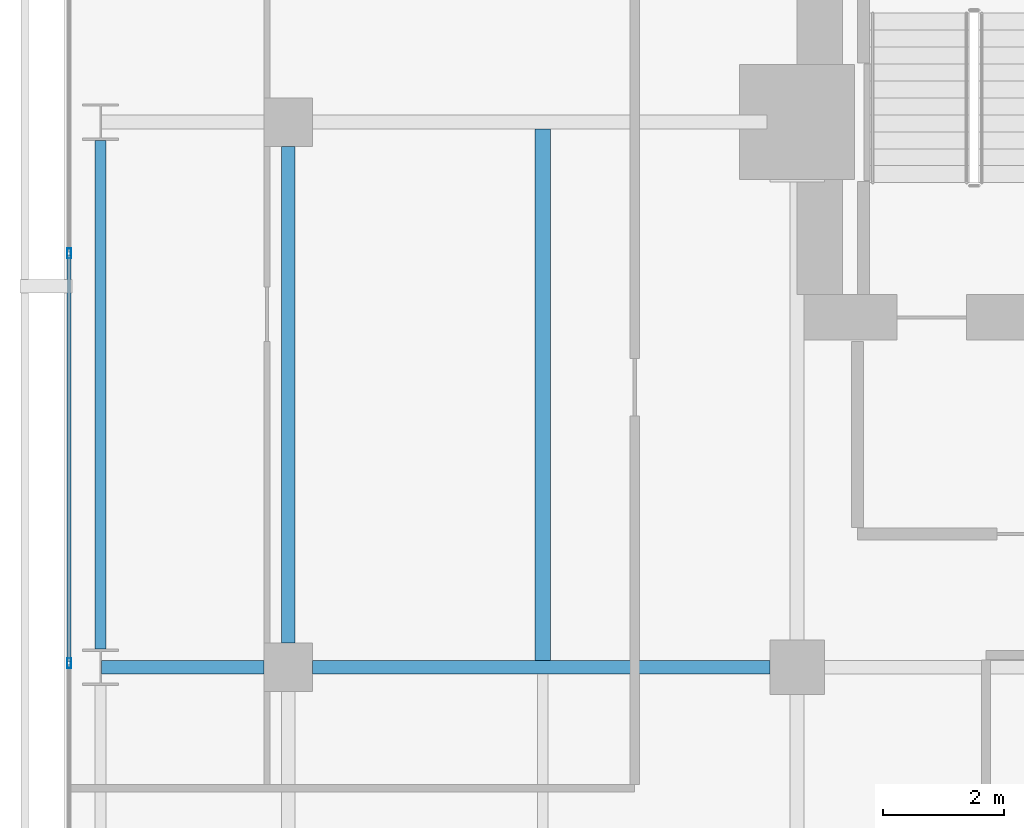
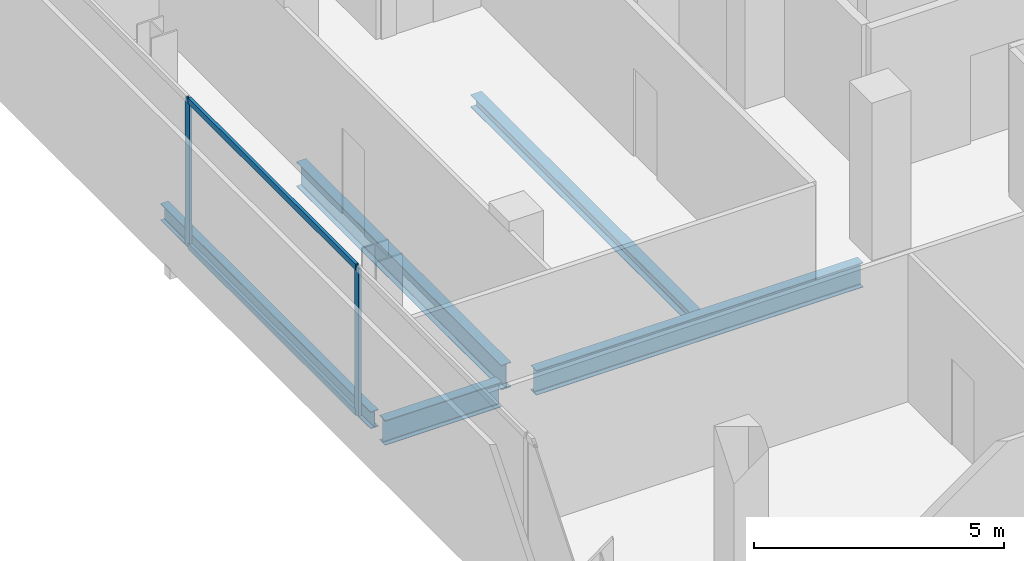
# One storey, part 18 of 32: 5 beams, 4 members, 1 element without a shape of its own.
"""IFC4 building model written with IfcOpenShell, lengths in metres."""

from ifc_helpers import new_model, si_unit, direction, frame, origin, origin_2d, place, context, subcontext, project, spatial, hollow_rectangle, i_section, extrude, material, layer, layer_set, material_profile, profile_set, type_object, element, aggregate, save


model = new_model("IFC4")

# Units and contexts
model_context = context("Model", 3, precision=1e-05, world=origin(), true_north=direction((0.0, 1.0)))
body_context = subcontext(model_context, "Body", "Model", "MODEL_VIEW")
ifc_project = project(units=[si_unit("LENGTHUNIT", "METRE"), si_unit("AREAUNIT", "SQUARE_METRE"), si_unit("VOLUMEUNIT", "CUBIC_METRE"), si_unit("PLANEANGLEUNIT", "RADIAN"), si_unit("MASSUNIT", "GRAM", prefix="KILO")], contexts=[model_context])

# Site, building, storey
site_placement = place(None, origin())
site = spatial("IfcSite", under=ifc_project, at=site_placement, CompositionType="ELEMENT")
building_placement = place(site_placement, origin())
building = spatial("IfcBuilding", under=site, at=building_placement, Name="Maruvema Waterfront Hotel and Observation Tower", CompositionType="ELEMENT")
storey_placement = place(building_placement, frame((0.0, 0.0, 162.050048828125)))
storey = spatial("IfcBuildingStorey", under=building, at=storey_placement, Name="L39", CompositionType="ELEMENT", Elevation=162.050048828125)

# Curtain wall, members
ifc_material_1 = material(Name="Anodised bronze aluminium and solar-control low-E IGU", Category="aluminium")
ifc_layer = layer(ifc_material_1, 0.159912109375, Name="Zone 2 Amber Inner Thermal Curtain Wall System CW-03")
ifc_layer_set = layer_set([ifc_layer], Name="Anodised bronze aluminium and solar-control low-E IGU")
curtain_wall_type = type_object("IfcCurtainWallType", Name="Zone 2 Amber Inner Thermal Curtain Wall System CW-03", PredefinedType="USERDEFINED", material=ifc_layer_set)
curtain_wall_placement = place(storey_placement, origin())
curtain_wall = element("IfcCurtainWall", 1, at=curtain_wall_placement, inside=storey, type_object=curtain_wall_type, Name="L39 Curtain Wall CW-L39-W", ObjectType="UNITISED CURTAIN WALL", PredefinedType="USERDEFINED")
ifc_material_2 = material(Name="Anodised architectural bronze aluminium", Category="aluminium")
ifc_material_profile_1 = material_profile(ifc_material_2, hollow_rectangle(XDim=0.070068359375, YDim=0.14990234375, WallThickness=0.00390625, at=origin_2d()), Name="ALU-T70x150")
ifc_profile_set_1 = profile_set([ifc_material_profile_1], Name="Anodised architectural bronze aluminium")
member_type_1 = type_object("IfcMemberType", Name="Curtain Wall Horizontal Transom ALU-T70x150", PredefinedType="USERDEFINED", material=ifc_profile_set_1)
member_1_placement = place(storey_placement, frame((13.179931640625, 42.80322265625, 0.030029296875), z_axis=(0.0, -1.0, 0.0), x_axis=(1.0, 0.0, 0.0)))
member_1 = element("IfcMember", 2, at=member_1_placement, type_object=member_type_1, Name="CW-03 transom 2.1", ObjectType="TRANSOM", PredefinedType="USERDEFINED", context=body_context, shape_type="SweptSolid", body=[
    extrude(hollow_rectangle(XDim=0.070068359375, YDim=0.14990234375, WallThickness=0.00390625, at=origin_2d()), origin(), (0.0, 0.0, 1.0), 6.70654296875),
])
member_2_placement = place(storey_placement, frame((13.179931640625, 42.80322265625, 3.579833984375), z_axis=(0.0, -1.0, 0.0), x_axis=(1.0, 0.0, 0.0)))
member_2 = element("IfcMember", 3, at=member_2_placement, type_object=member_type_1, Name="CW-03 transom 2.2", ObjectType="TRANSOM", PredefinedType="USERDEFINED", context=body_context, shape_type="SweptSolid", body=[
    extrude(hollow_rectangle(XDim=0.070068359375, YDim=0.14990234375, WallThickness=0.00390625, at=origin_2d()), origin(), (0.0, 0.0, 1.0), 6.70654296875),
])
ifc_material_3 = material(Name="Anodised architectural bronze aluminium", Category="aluminium")
ifc_material_profile_2 = material_profile(ifc_material_3, hollow_rectangle(XDim=0.06494140625, YDim=0.1650390625, WallThickness=0.00390625, at=origin_2d()), Name="ALU-M65x165")
ifc_profile_set_2 = profile_set([ifc_material_profile_2], Name="Anodised architectural bronze aluminium")
member_type_2 = type_object("IfcMemberType", Name="Curtain Wall Primary Mullion ALU-M65x165", PredefinedType="MULLION", material=ifc_profile_set_2)
member_3_placement = place(storey_placement, frame((13.179931640625, 42.833251953125, 0.0), z_axis=(0.0, 0.0, 1.0), x_axis=(1.0, 0.0, 0.0)))
member_3 = element("IfcMember", 4, at=member_3_placement, type_object=member_type_2, Name="CW-03 mullion 2", PredefinedType="MULLION", context=body_context, shape_type="SweptSolid", body=[
    extrude(hollow_rectangle(XDim=0.06494140625, YDim=0.1650390625, WallThickness=0.00390625, at=origin_2d()), origin(), (0.0, 0.0, 1.0), 3.60986328125),
])
member_4_placement = place(storey_placement, frame((13.179931640625, 36.066650390625, 0.0), z_axis=(0.0, 0.0, 1.0), x_axis=(1.0, 0.0, 0.0)))
member_4 = element("IfcMember", 5, at=member_4_placement, type_object=member_type_2, Name="CW-03 mullion 3", PredefinedType="MULLION", context=body_context, shape_type="SweptSolid", body=[
    extrude(hollow_rectangle(XDim=0.06494140625, YDim=0.1650390625, WallThickness=0.00390625, at=origin_2d()), origin(), (0.0, 0.0, 1.0), 3.60986328125),
])
aggregate(curtain_wall, [member_3, member_4, member_1, member_2])

# Beams
ifc_material_4 = material(Name="Steel ASTM A572 Grade 50", Category="steel")
ifc_material_profile_3 = material_profile(ifc_material_4, i_section(OverallWidth=0.180908203125, OverallDepth=0.4169921875, WebThickness=0.010986328125, FlangeThickness=0.018310546875, FilletRadius=0.014892578125, at=origin_2d()), Name="W410x85.0")
ifc_profile_set_3 = profile_set([ifc_material_profile_3], Name="Steel ASTM A572 Grade 50")
beam_type_1 = type_object("IfcBeamType", Name="Perimeter Spandrel Beam W410x85.0", PredefinedType="SPANDREL", material=ifc_profile_set_3)
beam_1_placement = place(storey_placement, frame((13.699951171875, 36.300048828125, -0.448486328125), z_axis=(0.0, 1.0, 0.0), x_axis=(-1.0, 0.0, 0.0)))
element("IfcBeam", 6, at=beam_1_placement, inside=storey, type_object=beam_type_1, Name="L39 Floor Girder NS-04", PredefinedType="SPANDREL", context=body_context, shape_type="SweptSolid", body=[
    extrude(i_section(OverallWidth=0.180908203125, OverallDepth=0.4169921875, WebThickness=0.010986328125, FlangeThickness=0.018310546875, FilletRadius=0.014892578125, at=origin_2d()), origin(), (0.0, 0.0, 1.0), 8.39990234375),
])
ifc_material_5 = material(Name="Steel ASTM A572 Grade 50", Category="steel")
ifc_material_profile_4 = material_profile(ifc_material_5, i_section(OverallWidth=0.22802734375, OverallDepth=0.60302734375, WebThickness=0.010498046875, FlangeThickness=0.014892578125, FilletRadius=0.01806640625, at=origin_2d()), Name="W610x101.0")
ifc_profile_set_4 = profile_set([ifc_material_profile_4], Name="Steel ASTM A572 Grade 50")
beam_type_2 = type_object("IfcBeamType", Name="Primary Floor Girder W610x101.0", PredefinedType="BEAM", material=ifc_profile_set_4)
beam_2_placement = place(storey_placement, frame((13.71240234375, 36.0, -0.54150390625), z_axis=(1.0, 0.0, 0.0), x_axis=(0.0, 1.0, 0.0)))
element("IfcBeam", 7, at=beam_2_placement, inside=storey, type_object=beam_type_2, Name="L39 Floor Girder EW-23", PredefinedType="BEAM", context=body_context, shape_type="SweptSolid", body=[
    extrude(i_section(OverallWidth=0.22802734375, OverallDepth=0.60302734375, WebThickness=0.010498046875, FlangeThickness=0.014892578125, FilletRadius=0.01806640625, at=origin_2d()), origin(), (0.0, 0.0, 1.0), 2.6875),
])
beam_3_placement = place(storey_placement, frame((17.199951171875, 36.0, -0.54150390625), z_axis=(1.0, 0.0, 0.0), x_axis=(0.0, 1.0, 0.0)))
element("IfcBeam", 8, at=beam_3_placement, inside=storey, type_object=beam_type_2, Name="L39 Floor Girder EW-24", PredefinedType="BEAM", context=body_context, shape_type="SweptSolid", body=[
    extrude(i_section(OverallWidth=0.22802734375, OverallDepth=0.60302734375, WebThickness=0.010498046875, FlangeThickness=0.014892578125, FilletRadius=0.01806640625, at=origin_2d()), origin(), (0.0, 0.0, 1.0), 7.550048828125),
])
beam_4_placement = place(storey_placement, frame((16.800048828125, 36.39990234375, -0.54150390625), z_axis=(0.0, 1.0, 0.0), x_axis=(-1.0, 0.0, 0.0)))
element("IfcBeam", 9, at=beam_4_placement, inside=storey, type_object=beam_type_2, Name="L39 Floor Girder NS-08", PredefinedType="BEAM", context=body_context, shape_type="SweptSolid", body=[
    extrude(i_section(OverallWidth=0.22802734375, OverallDepth=0.60302734375, WebThickness=0.010498046875, FlangeThickness=0.014892578125, FilletRadius=0.01806640625, at=origin_2d()), origin(), (0.0, 0.0, 1.0), 8.2001953125),
])
ifc_material_6 = material(Name="Steel ASTM A572 Grade 50", Category="steel")
ifc_material_profile_5 = material_profile(ifc_material_6, i_section(OverallWidth=0.25390625, OverallDepth=0.305908203125, WebThickness=0.0087890625, FlangeThickness=0.0146484375, FilletRadius=0.014892578125, at=origin_2d()), Name="W310x79.0")
ifc_profile_set_5 = profile_set([ifc_material_profile_5], Name="Steel ASTM A572 Grade 50")
beam_type_3 = type_object("IfcBeamType", Name="Secondary Floor Joist W310x79.0", PredefinedType="JOIST", material=ifc_profile_set_5)
beam_5_placement = place(storey_placement, frame((21.0, 36.114013671875, -0.39306640625), z_axis=(0.0, 1.0, 0.0), x_axis=(-1.0, 0.0, 0.0)))
element("IfcBeam", 10, at=beam_5_placement, inside=storey, type_object=beam_type_3, Name="L39 Secondary Floor Joist JS-04", PredefinedType="JOIST", context=body_context, shape_type="SweptSolid", body=[
    extrude(i_section(OverallWidth=0.25390625, OverallDepth=0.305908203125, WebThickness=0.0087890625, FlangeThickness=0.0146484375, FilletRadius=0.014892578125, at=origin_2d()), origin(), (0.0, 0.0, 1.0), 8.77197265625),
])

save(model, "model.ifc")
